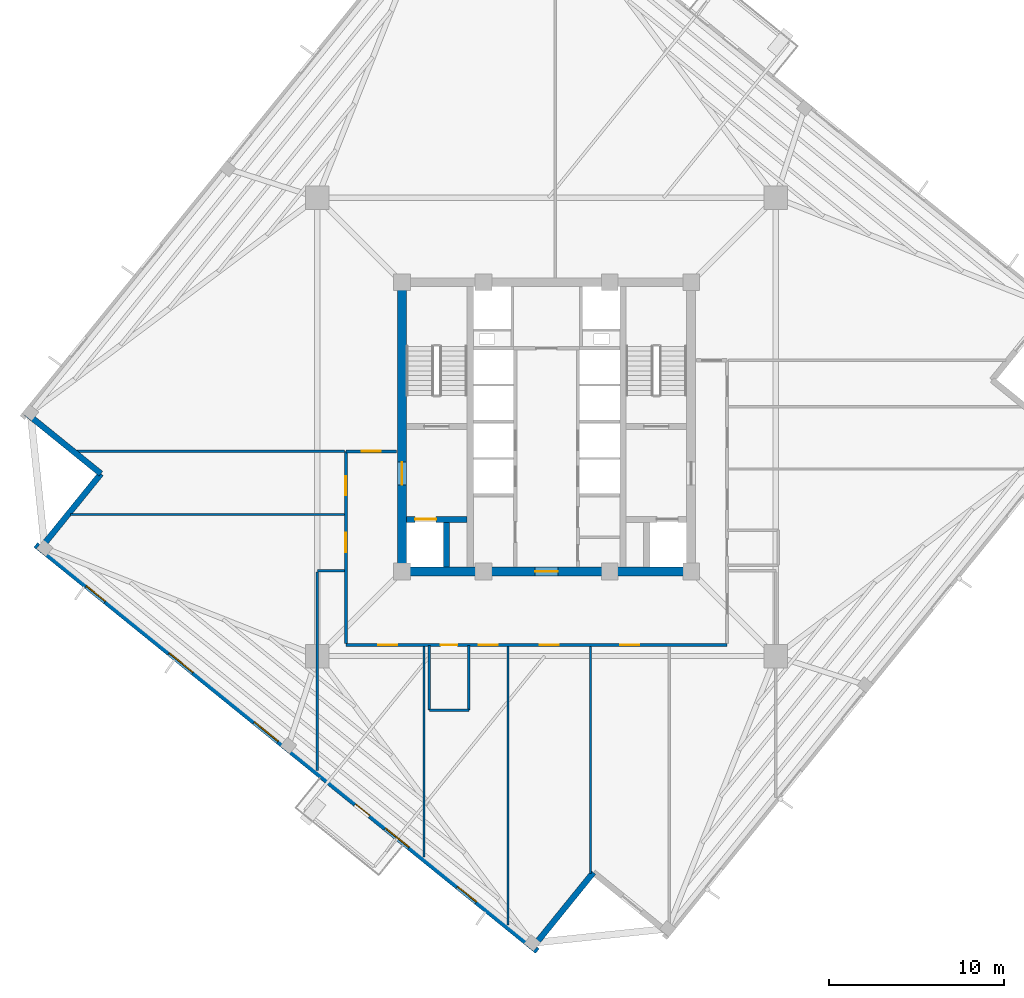
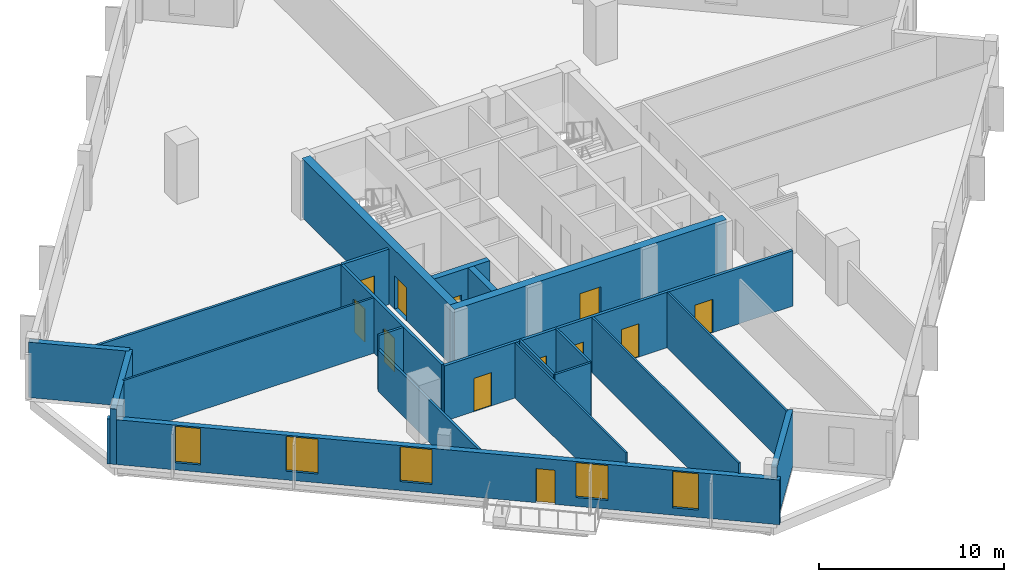
# One storey, part 3 of 10: 21 walls, 12 doors, 5 windows, 17 openings.
"""IFC4 building model written with IfcOpenShell, lengths in metres."""

from ifc_helpers import new_model, si_unit, direction, frame, frame_2d, origin, place, context, subcontext, project, spatial, rectangle, extrude, source, transform, mapped, material, layer, layer_set, type_object, element, fill, save


model = new_model("IFC4")

# Units and contexts
model_context = context("Model", 3, precision=1e-05, world=origin(), true_north=direction((0.0, 1.0)))
body_context = subcontext(model_context, "Body", "Model", "MODEL_VIEW")
ifc_project = project(units=[si_unit("LENGTHUNIT", "METRE"), si_unit("AREAUNIT", "SQUARE_METRE"), si_unit("VOLUMEUNIT", "CUBIC_METRE"), si_unit("PLANEANGLEUNIT", "RADIAN"), si_unit("MASSUNIT", "GRAM", prefix="KILO"), si_unit("THERMODYNAMICTEMPERATUREUNIT", "KELVIN")], contexts=[model_context])

# Site, building, storey
site_placement = place(None, origin())
site = spatial("IfcSite", under=ifc_project, at=site_placement, CompositionType="ELEMENT")
building_placement = place(site_placement, origin())
building = spatial("IfcBuilding", under=site, at=building_placement, Name="Kosmvard Interchange Tower", CompositionType="ELEMENT")
storey_placement = place(building_placement, frame((0.0, 0.0, 205.60009765625)))
storey = spatial("IfcBuildingStorey", under=building, at=storey_placement, Name="L49", CompositionType="ELEMENT", Elevation=205.60009765625)

# Walls
ifc_material_1 = material(Name="Acoustic gypsum partition system")
ifc_layer_1 = layer(ifc_material_1, 0.14990234375, Name="Acoustic gypsum partition system")
ifc_layer_set_1 = layer_set([ifc_layer_1], Name="Acoustic gypsum partition system")
wall_type_1 = type_object("IfcWallType", Name="Acoustic Suite & Meeting Partition 150", PredefinedType="PARTITIONING", material=ifc_layer_set_1)
wall_1_placement = place(storey_placement, frame((-26.833740234375, -1.39990234375, 0.0), z_axis=(0.0, 0.0, 1.0), x_axis=(1.0, 0.0, 0.0)))
element("IfcWall", 1, at=wall_1_placement, inside=storey, type_object=wall_type_1, Name="L49 Room Partition 02.1", PredefinedType="PARTITIONING", context=body_context, shape_type="SweptSolid", body=[
    extrude(rectangle(XDim=15.288818359375, YDim=0.14990234375, at=frame_2d((7.64453125, 0.0))), origin(), (0.0, 0.0, 1.0), 3.659912109375),
])
wall_2_placement = place(storey_placement, frame((-11.544921875, -8.199951171875, 0.0), z_axis=(0.0, 0.0, 1.0), x_axis=(-1.0, 0.0, 0.0)))
element("IfcWall", 2, at=wall_2_placement, inside=storey, type_object=wall_type_1, Name="L49 Room Partition 05.1", PredefinedType="PARTITIONING", context=body_context, shape_type="SweptSolid", body=[
    extrude(rectangle(XDim=1.5361328125, YDim=0.14990234375, at=frame_2d((0.76806640625, 0.0))), origin(), (0.0, 0.0, 1.0), 3.659912109375),
])
wall_3_placement = place(storey_placement, frame((-13.0810546875, -8.27490234375, 0.0), z_axis=(0.0, 0.0, 1.0), x_axis=(0.0, -1.0, 0.0)))
element("IfcWall", 3, at=wall_3_placement, inside=storey, type_object=wall_type_1, Name="L49 Room Partition 06.1", PredefinedType="PARTITIONING", context=body_context, shape_type="SweptSolid", body=[
    extrude(rectangle(XDim=11.339111328125, YDim=0.14990234375, at=frame_2d((5.66943359375, 0.0))), origin(), (0.0, 0.0, 1.0), 2.760009765625),
])

# Wall, openings, doors
ifc_material_2 = material(Name="Fire-rated gypsum partition system")
ifc_layer_2 = layer(ifc_material_2, 0.179931640625, Name="Fire-rated gypsum partition system")
ifc_layer_set_2 = layer_set([ifc_layer_2], Name="Fire-rated gypsum partition system")
wall_type_2 = type_object("IfcWallType", Name="Corridor & Hotel Compartment Partition 180", PredefinedType="PARTITIONING", material=ifc_layer_set_2)
wall_4_placement = place(storey_placement, frame((-11.449951171875, -12.449951171875, 0.0), z_axis=(0.0, 0.0, 1.0), x_axis=(1.0, 0.0, 0.0)))
wall_4 = element("IfcWall", 4, at=wall_4_placement, inside=storey, type_object=wall_type_2, Name="L49 Corridor Wall CS", PredefinedType="PARTITIONING", context=body_context, shape_type="SweptSolid", body=[
    extrude(rectangle(XDim=21.75, YDim=0.179931640625, at=frame_2d((10.875, 0.0))), origin(), (0.0, 0.0, 1.0), 3.659912109375),
])
opening_1_placement = place(wall_4_placement, frame((5.4111328125, 0.0, 0.0)))
opening_1 = element("IfcOpeningElement", 5, at=opening_1_placement, cuts=wall_4, Name="Opening L49-D02", PredefinedType="OPENING", context=body_context, shape_type="SweptSolid", body=[
    extrude(rectangle(XDim=0.949951171875, YDim=2.10009765625, at=frame_2d((0.47509765625, 1.050048828125))), frame((0.0, 0.10009765625, 0.0), z_axis=(0.0, -1.0, 0.0), x_axis=(1.0, 0.0, 0.0)), (0.0, 0.0, 1.0), 0.199951171875),
])
opening_2_placement = place(wall_4_placement, frame((1.83935546875, 0.0, 0.0)))
opening_2 = element("IfcOpeningElement", 6, at=opening_2_placement, cuts=wall_4, Name="Opening L49-D08", PredefinedType="OPENING", context=body_context, shape_type="SweptSolid", body=[
    extrude(rectangle(XDim=1.10009765625, YDim=2.199951171875, at=frame_2d((0.550048828125, 1.10009765625))), frame((0.0, 0.10009765625, 0.0), z_axis=(0.0, -1.0, 0.0), x_axis=(1.0, 0.0, 0.0)), (0.0, 0.0, 1.0), 0.199951171875),
])
opening_3_placement = place(wall_4_placement, frame((7.574462890625, 0.0, 0.0)))
opening_3 = element("IfcOpeningElement", 7, at=opening_3_placement, cuts=wall_4, Name="Opening L49-D09", PredefinedType="OPENING", context=body_context, shape_type="SweptSolid", body=[
    extrude(rectangle(XDim=1.10009765625, YDim=2.199951171875, at=frame_2d((0.550048828125, 1.10009765625))), frame((0.0, 0.10009765625, 0.0), z_axis=(0.0, -1.0, 0.0), x_axis=(1.0, 0.0, 0.0)), (0.0, 0.0, 1.0), 0.199951171875),
])
opening_4_placement = place(wall_4_placement, frame((11.050048828125, 0.0, 0.0)))
opening_4 = element("IfcOpeningElement", 8, at=opening_4_placement, cuts=wall_4, Name="Opening L49-D10", PredefinedType="OPENING", context=body_context, shape_type="SweptSolid", body=[
    extrude(rectangle(XDim=1.10009765625, YDim=2.199951171875, at=frame_2d((0.550048828125, 1.10009765625))), frame((0.0, 0.10009765625, 0.0), z_axis=(0.0, -1.0, 0.0), x_axis=(1.0, 0.0, 0.0)), (0.0, 0.0, 1.0), 0.199951171875),
])
opening_5_placement = place(wall_4_placement, frame((15.64990234375, 0.0, 0.0)))
opening_5 = element("IfcOpeningElement", 9, at=opening_5_placement, cuts=wall_4, Name="Opening L49-D11", PredefinedType="OPENING", context=body_context, shape_type="SweptSolid", body=[
    extrude(rectangle(XDim=1.10009765625, YDim=2.199951171875, at=frame_2d((0.550048828125, 1.10009765625))), frame((0.0, 0.10009765625, 0.0), z_axis=(0.0, -1.0, 0.0), x_axis=(1.0, 0.0, 0.0)), (0.0, 0.0, 1.0), 0.199951171875),
])
ifc_material_3 = material(Name="Laminated moisture-resistant timber", Category="wood")
door_type_1 = type_object("IfcDoorType", Name="Accessible Washroom Door 950x2100", OperationType="NOTDEFINED", PredefinedType="DOOR", material=ifc_material_3)
shared_shape_1 = source(origin(), body_context, "Body", "SweptSolid", [
    extrude(rectangle(XDim=0.949951171875, YDim=2.10009765625, at=frame_2d((0.47509765625, 1.050048828125))), frame((0.0, 0.02490234375, 0.0), z_axis=(0.0, -1.0, 0.0), x_axis=(1.0, 0.0, 0.0)), (0.0, 0.0, 1.0), 0.050048828125),
])
door_1_placement = place(opening_1_placement, frame((0.949951171875, 0.0, 0.0), z_axis=(0.0, 0.0, 1.0), x_axis=(-1.0, 0.0, 0.0)))
door_1 = element("IfcDoor", 10, at=door_1_placement, inside=storey, type_object=door_type_1, Name="L49 Public Floor Washroom Door", OperationType="SINGLE_SWING_RIGHT", OverallHeight=2.10009765625, OverallWidth=0.949951171875, PredefinedType="DOOR", context=body_context, shape_type="MappedRepresentation", body=[
    mapped(shared_shape_1, transform((0.0, 0.0, 0.0), scale=1.0)),
])
fill(opening_1, door_1)
ifc_material_4 = material(Name="Engineered oak fire-rated timber", Category="wood")
door_type_2 = type_object("IfcDoorType", Name="Office Suite Entrance Door 1100x2200 FD30S", OperationType="NOTDEFINED", PredefinedType="DOOR", material=ifc_material_4)
shared_shape_2 = source(origin(), body_context, "Body", "SweptSolid", [
    extrude(rectangle(XDim=1.10009765625, YDim=2.199951171875, at=frame_2d((0.550048828125, 1.10009765625))), frame((0.0, 0.02490234375, 0.0), z_axis=(0.0, -1.0, 0.0), x_axis=(1.0, 0.0, 0.0)), (0.0, 0.0, 1.0), 0.050048828125),
])
door_2_placement = place(opening_2_placement, frame((1.10009765625, 0.0, 0.0), z_axis=(0.0, 0.0, 1.0), x_axis=(-1.0, 0.0, 0.0)))
door_2 = element("IfcDoor", 11, at=door_2_placement, inside=storey, type_object=door_type_2, Name="L49 Treaty Conference Room 3 Door", OperationType="SINGLE_SWING_RIGHT", OverallHeight=2.199951171875, OverallWidth=1.10009765625, PredefinedType="DOOR", context=body_context, shape_type="MappedRepresentation", body=[
    mapped(shared_shape_2, transform((0.0, 0.0, 0.0), scale=1.0)),
])
fill(opening_2, door_2)
door_3_placement = place(opening_3_placement, frame((1.10009765625, 0.0, 0.0), z_axis=(0.0, 0.0, 1.0), x_axis=(-1.0, 0.0, 0.0)))
door_3 = element("IfcDoor", 12, at=door_3_placement, inside=storey, type_object=door_type_2, Name="L49 Diplomatic Seminar Room 4 Door", OperationType="SINGLE_SWING_LEFT", OverallHeight=2.199951171875, OverallWidth=1.10009765625, PredefinedType="DOOR", context=body_context, shape_type="MappedRepresentation", body=[
    mapped(shared_shape_2, transform((0.0, 0.0, 0.0), scale=1.0)),
])
fill(opening_3, door_3)
door_4_placement = place(opening_4_placement, frame((1.10009765625, 0.0, 0.0), z_axis=(0.0, 0.0, 1.0), x_axis=(-1.0, 0.0, 0.0)))
door_4 = element("IfcDoor", 13, at=door_4_placement, inside=storey, type_object=door_type_2, Name="L49 Ambassador Reading Study 1 Door", OperationType="SINGLE_SWING_RIGHT", OverallHeight=2.199951171875, OverallWidth=1.10009765625, PredefinedType="DOOR", context=body_context, shape_type="MappedRepresentation", body=[
    mapped(shared_shape_2, transform((0.0, 0.0, 0.0), scale=1.0)),
])
fill(opening_4, door_4)
door_5_placement = place(opening_5_placement, frame((1.10009765625, 0.0, 0.0), z_axis=(0.0, 0.0, 1.0), x_axis=(-1.0, 0.0, 0.0)))
door_5 = element("IfcDoor", 14, at=door_5_placement, inside=storey, type_object=door_type_2, Name="L49 Counsel Quiet Study 2 Door", OperationType="SINGLE_SWING_LEFT", OverallHeight=2.199951171875, OverallWidth=1.10009765625, PredefinedType="DOOR", context=body_context, shape_type="MappedRepresentation", body=[
    mapped(shared_shape_2, transform((0.0, 0.0, 0.0), scale=1.0)),
])
fill(opening_5, door_5)

wall_5_placement = place(storey_placement, frame((-11.449951171875, -12.35009765625, 0.0), z_axis=(0.0, 0.0, 1.0), x_axis=(0.0, 1.0, 0.0)))
wall_5 = element("IfcWall", 15, at=wall_5_placement, inside=storey, type_object=wall_type_2, Name="L49 Corridor Wall CW", PredefinedType="PARTITIONING", context=body_context, shape_type="SweptSolid", body=[
    extrude(rectangle(XDim=10.9501953125, YDim=0.179931640625, at=frame_2d((5.47509765625, 0.0))), origin(), (0.0, 0.0, 1.0), 3.659912109375),
])
opening_6_placement = place(wall_5_placement, frame((8.435546875, 0.0, 0.0)))
opening_6 = element("IfcOpeningElement", 16, at=opening_6_placement, cuts=wall_5, Name="Opening L49-D06", PredefinedType="OPENING", context=body_context, shape_type="SweptSolid", body=[
    extrude(rectangle(XDim=1.10009765625, YDim=2.199951171875, at=frame_2d((0.550048828125, 1.10009765625))), frame((0.0, 0.10009765625, 0.0), z_axis=(0.0, -1.0, 0.0), x_axis=(1.0, 0.0, 0.0)), (0.0, 0.0, 1.0), 0.199951171875),
])
opening_7_placement = place(wall_5_placement, frame((5.199951171875, 0.0, 0.0)))
opening_7 = element("IfcOpeningElement", 17, at=opening_7_placement, cuts=wall_5, Name="Opening L49-D07", PredefinedType="OPENING", context=body_context, shape_type="SweptSolid", body=[
    extrude(rectangle(XDim=1.10009765625, YDim=2.199951171875, at=frame_2d((0.550048828125, 1.10009765625))), frame((0.0, 0.10009765625, 0.0), z_axis=(0.0, -1.0, 0.0), x_axis=(1.0, 0.0, 0.0)), (0.0, 0.0, 1.0), 0.199951171875),
])
door_6_placement = place(opening_6_placement, origin())
door_6 = element("IfcDoor", 18, at=door_6_placement, inside=storey, type_object=door_type_2, Name="L49 Executive Servery Pantry Door", OperationType="SINGLE_SWING_RIGHT", OverallHeight=2.199951171875, OverallWidth=1.10009765625, PredefinedType="DOOR", context=body_context, shape_type="MappedRepresentation", body=[
    mapped(shared_shape_2, transform((0.0, 0.0, 0.0), scale=1.0)),
])
fill(opening_6, door_6)
door_7_placement = place(opening_7_placement, origin())
door_7 = element("IfcDoor", 19, at=door_7_placement, inside=storey, type_object=door_type_2, Name="L49 Chancery Boardroom 2 Door", OperationType="SINGLE_SWING_LEFT", OverallHeight=2.199951171875, OverallWidth=1.10009765625, PredefinedType="DOOR", context=body_context, shape_type="MappedRepresentation", body=[
    mapped(shared_shape_2, transform((0.0, 0.0, 0.0), scale=1.0)),
])
fill(opening_7, door_7)

# Wall, opening, door
wall_6_placement = place(storey_placement, frame((-11.449951171875, -1.39990234375, 0.0), z_axis=(0.0, 0.0, 1.0), x_axis=(1.0, 0.0, 0.0)))
wall_6 = element("IfcWall", 20, at=wall_6_placement, inside=storey, type_object=wall_type_2, Name="L49 Corridor Wall CNW", PredefinedType="PARTITIONING", context=body_context, shape_type="SweptSolid", body=[
    extrude(rectangle(XDim=2.89990234375, YDim=0.179931640625, at=frame_2d((1.449951171875, 0.0))), origin(), (0.0, 0.0, 1.0), 3.659912109375),
])
opening_8_placement = place(wall_6_placement, frame((0.89990234375, 0.0, 0.0)))
opening_8 = element("IfcOpeningElement", 21, at=opening_8_placement, cuts=wall_6, Name="Opening L49-D03", PredefinedType="OPENING", context=body_context, shape_type="SweptSolid", body=[
    extrude(rectangle(XDim=1.10009765625, YDim=2.199951171875, at=frame_2d((0.550048828125, 1.10009765625))), frame((0.0, 0.10009765625, 0.0), z_axis=(0.0, -1.0, 0.0), x_axis=(1.0, 0.0, 0.0)), (0.0, 0.0, 1.0), 0.199951171875),
])
door_8_placement = place(opening_8_placement, origin())
door_8 = element("IfcDoor", 22, at=door_8_placement, inside=storey, type_object=door_type_2, Name="L49 North-West Executive Advisory Workplace Door", OperationType="SINGLE_SWING_LEFT", OverallHeight=2.199951171875, OverallWidth=1.10009765625, PredefinedType="DOOR", context=body_context, shape_type="MappedRepresentation", body=[
    mapped(shared_shape_2, transform((0.0, 0.0, 0.0), scale=1.0)),
])
fill(opening_8, door_8)

# Walls
ifc_material_5 = material(Name="Precast concrete C45/55", Category="concrete")
ifc_layer_3 = layer(ifc_material_5, 0.340087890625, Name="Precast concrete C45/55")
ifc_layer_set_3 = layer_set([ifc_layer_3], Name="Precast concrete C45/55")
wall_type_3 = type_object("IfcWallType", Name="Mid Tower Precast Pier Wall 340 C45/55", PredefinedType="STANDARD", material=ifc_layer_set_3)
wall_7_placement = place(storey_placement, frame((-29.703125, 0.78857421875, 0.0), z_axis=(0.0, 0.0, 1.0), x_axis=(0.77714355312, -0.629323365087, 0.0)))
element("IfcWall", 23, at=wall_7_placement, inside=storey, type_object=wall_type_3, Name="L49 Precast Facade Wall N-NW1", PredefinedType="STANDARD", context=body_context, shape_type="SweptSolid", body=[
    extrude(rectangle(XDim=5.499755859375, YDim=0.340087890625, at=frame_2d((2.75, 0.0))), origin(), (0.0, 0.0, 1.0), 3.659912109375),
])
wall_8_placement = place(storey_placement, frame((-25.428955078125, -2.672607421875, 0.0), z_axis=(0.0, 0.0, 1.0), x_axis=(-0.629299794138, -0.777162640055, 0.0)))
element("IfcWall", 24, at=wall_8_placement, inside=storey, type_object=wall_type_3, Name="L49 Precast Facade Wall N-NW2", PredefinedType="STANDARD", context=body_context, shape_type="SweptSolid", body=[
    extrude(rectangle(XDim=5.669921875, YDim=0.340087890625, at=frame_2d((2.8349609375, 0.0))), origin(), (0.0, 0.0, 1.0), 3.659912109375),
])

# Wall, openings, door, windows
wall_9_placement = place(storey_placement, frame((-29.154296875, -6.73291015625, 0.0), z_axis=(0.0, 0.0, 1.0), x_axis=(0.77714192302, -0.629325378072, 0.0)))
wall_9 = element("IfcWall", 25, at=wall_9_placement, inside=storey, type_object=wall_type_3, Name="L49 Precast Facade Wall F-W", PredefinedType="STANDARD", context=body_context, shape_type="SweptSolid", body=[
    extrude(rectangle(XDim=36.840087890625, YDim=0.340087890625, at=frame_2d((18.419921875, 0.0))), origin(), (0.0, 0.0, 1.0), 2.9599609375),
])
opening_9_placement = place(wall_9_placement, frame((23.4951171875, 0.0, 0.0)))
opening_9 = element("IfcOpeningElement", 26, at=opening_9_placement, cuts=wall_9, Name="Opening L49-BDW", PredefinedType="OPENING", context=body_context, shape_type="SweptSolid", body=[
    extrude(rectangle(XDim=1.050048828125, YDim=2.25, at=frame_2d((0.52490234375, 1.125))), frame((0.0, 0.18017578125, 0.0), z_axis=(0.0, -1.0, 0.0), x_axis=(1.0, 0.0, 0.0)), (0.0, 0.0, 1.0), 0.360107421875),
])
opening_10_placement = place(wall_9_placement, frame((3.720703125, 0.0, 0.47998046875)))
opening_10 = element("IfcOpeningElement", 27, at=opening_10_placement, cuts=wall_9, Name="Opening L49-W16", PredefinedType="OPENING", context=body_context, shape_type="SweptSolid", body=[
    extrude(rectangle(XDim=1.39990234375, YDim=2.39990234375, at=frame_2d((0.699951171875, 1.199951171875))), frame((0.0, 0.18017578125, 0.0), z_axis=(0.0, -1.0, 0.0), x_axis=(1.0, 0.0, 0.0)), (0.0, 0.0, 1.0), 0.360107421875),
])
opening_11_placement = place(wall_9_placement, frame((9.80859375, 0.0, 0.580078125)))
opening_11 = element("IfcOpeningElement", 28, at=opening_11_placement, cuts=wall_9, Name="Opening L49-W17", PredefinedType="OPENING", context=body_context, shape_type="SweptSolid", body=[
    extrude(rectangle(XDim=1.75, YDim=2.300048828125, at=frame_2d((0.875, 1.14990234375))), frame((0.0, 0.18017578125, 0.0), z_axis=(0.0, -1.0, 0.0), x_axis=(1.0, 0.0, 0.0)), (0.0, 0.0, 1.0), 0.360107421875),
])
opening_12_placement = place(wall_9_placement, frame((16.05810546875, 0.0, 0.580078125)))
opening_12 = element("IfcOpeningElement", 29, at=opening_12_placement, cuts=wall_9, Name="Opening L49-W18", PredefinedType="OPENING", context=body_context, shape_type="SweptSolid", body=[
    extrude(rectangle(XDim=1.75, YDim=2.300048828125, at=frame_2d((0.875, 1.14990234375))), frame((0.0, 0.18017578125, 0.0), z_axis=(0.0, -1.0, 0.0), x_axis=(1.0, 0.0, 0.0)), (0.0, 0.0, 1.0), 0.360107421875),
])
opening_13_placement = place(wall_9_placement, frame((25.67626953125, 0.0, 0.580078125)))
opening_13 = element("IfcOpeningElement", 30, at=opening_13_placement, cuts=wall_9, Name="Opening L49-W19", PredefinedType="OPENING", context=body_context, shape_type="SweptSolid", body=[
    extrude(rectangle(XDim=1.75, YDim=2.300048828125, at=frame_2d((0.875, 1.14990234375))), frame((0.0, 0.18017578125, 0.0), z_axis=(0.0, -1.0, 0.0), x_axis=(1.0, 0.0, 0.0)), (0.0, 0.0, 1.0), 0.360107421875),
])
opening_14_placement = place(wall_9_placement, frame((30.982421875, 0.0, 0.47998046875)))
opening_14 = element("IfcOpeningElement", 31, at=opening_14_placement, cuts=wall_9, Name="Opening L49-W20", PredefinedType="OPENING", context=body_context, shape_type="SweptSolid", body=[
    extrude(rectangle(XDim=1.39990234375, YDim=2.39990234375, at=frame_2d((0.699951171875, 1.199951171875))), frame((0.0, 0.18017578125, 0.0), z_axis=(0.0, -1.0, 0.0), x_axis=(1.0, 0.0, 0.0)), (0.0, 0.0, 1.0), 0.360107421875),
])
ifc_material_6 = material(Name="Anodised aluminium and safety glass", Category="aluminium")
door_type_3 = type_object("IfcDoorType", Name="Tree-Balcony Glazed Door 1050x2250", OperationType="NOTDEFINED", PredefinedType="DOOR", material=ifc_material_6)
shared_shape_3 = source(origin(), body_context, "Body", "SweptSolid", [
    extrude(rectangle(XDim=1.050048828125, YDim=2.25, at=frame_2d((0.52490234375, 1.125))), frame((0.0, 0.02490234375, 0.0), z_axis=(0.0, -1.0, 0.0), x_axis=(1.0, 0.0, 0.0)), (0.0, 0.0, 1.0), 0.050048828125),
])
door_9_placement = place(opening_9_placement, origin())
door_9 = element("IfcDoor", 32, at=door_9_placement, inside=storey, type_object=door_type_3, Name="L49 Tree-Balcony Door BAL-L49-W", OperationType="SINGLE_SWING_RIGHT", OverallHeight=2.25, OverallWidth=1.050048828125, PredefinedType="DOOR", context=body_context, shape_type="MappedRepresentation", body=[
    mapped(shared_shape_3, transform((0.0, 0.0, 0.0), scale=1.0)),
])
fill(opening_9, door_9)
ifc_material_7 = material(Name="Low-E solar-control double glazing", Category="glass")
window_type_1 = type_object("IfcWindowType", Name="Notched Corner Feature Window 1400x2400", PartitioningType="SINGLE_PANEL", PredefinedType="WINDOW", material=ifc_material_7)
shared_shape_4 = source(origin(), body_context, "Body", "SweptSolid", [
    extrude(rectangle(XDim=1.39990234375, YDim=2.39990234375, at=frame_2d((0.699951171875, 1.199951171875))), frame((0.0, 0.030029296875, 0.0), z_axis=(0.0, -1.0, 0.0), x_axis=(1.0, 0.0, 0.0)), (0.0, 0.0, 1.0), 0.06005859375),
])
window_1_placement = place(opening_10_placement, origin())
window_1 = element("IfcWindow", 33, at=window_1_placement, inside=storey, type_object=window_type_1, Name="L49 Facade Punched Window 16", OverallHeight=2.39990234375, OverallWidth=1.39990234375, PartitioningType="SINGLE_PANEL", PredefinedType="WINDOW", context=body_context, shape_type="MappedRepresentation", body=[
    mapped(shared_shape_4, transform((0.0, 0.0, 0.0), scale=1.0)),
])
fill(opening_10, window_1)
window_2_placement = place(opening_14_placement, origin())
window_2 = element("IfcWindow", 34, at=window_2_placement, inside=storey, type_object=window_type_1, Name="L49 Facade Punched Window 20", OverallHeight=2.39990234375, OverallWidth=1.39990234375, PartitioningType="SINGLE_PANEL", PredefinedType="WINDOW", context=body_context, shape_type="MappedRepresentation", body=[
    mapped(shared_shape_4, transform((0.0, 0.0, 0.0), scale=1.0)),
])
fill(opening_14, window_2)
window_type_2 = type_object("IfcWindowType", Name="Zone 4 Suite Punched Window 1750x2300", PartitioningType="SINGLE_PANEL", PredefinedType="WINDOW", material=ifc_material_7)
shared_shape_5 = source(origin(), body_context, "Body", "SweptSolid", [
    extrude(rectangle(XDim=1.75, YDim=2.300048828125, at=frame_2d((0.875, 1.14990234375))), frame((0.0, 0.030029296875, 0.0), z_axis=(0.0, -1.0, 0.0), x_axis=(1.0, 0.0, 0.0)), (0.0, 0.0, 1.0), 0.06005859375),
])
window_3_placement = place(opening_11_placement, origin())
window_3 = element("IfcWindow", 35, at=window_3_placement, inside=storey, type_object=window_type_2, Name="L49 Facade Punched Window 17", OverallHeight=2.300048828125, OverallWidth=1.75, PartitioningType="SINGLE_PANEL", PredefinedType="WINDOW", context=body_context, shape_type="MappedRepresentation", body=[
    mapped(shared_shape_5, transform((0.0, 0.0, 0.0), scale=1.0)),
])
fill(opening_11, window_3)
window_4_placement = place(opening_12_placement, origin())
window_4 = element("IfcWindow", 36, at=window_4_placement, inside=storey, type_object=window_type_2, Name="L49 Facade Punched Window 18", OverallHeight=2.300048828125, OverallWidth=1.75, PartitioningType="SINGLE_PANEL", PredefinedType="WINDOW", context=body_context, shape_type="MappedRepresentation", body=[
    mapped(shared_shape_5, transform((0.0, 0.0, 0.0), scale=1.0)),
])
fill(opening_12, window_4)
window_5_placement = place(opening_13_placement, origin())
window_5 = element("IfcWindow", 37, at=window_5_placement, inside=storey, type_object=window_type_2, Name="L49 Facade Punched Window 19", OverallHeight=2.300048828125, OverallWidth=1.75, PartitioningType="SINGLE_PANEL", PredefinedType="WINDOW", context=body_context, shape_type="MappedRepresentation", body=[
    mapped(shared_shape_5, transform((0.0, 0.0, 0.0), scale=1.0)),
])
fill(opening_13, window_5)

# Walls
wall_10_placement = place(storey_placement, frame((-0.78857421875, -29.703125, 0.0), z_axis=(0.0, 0.0, 1.0), x_axis=(0.629323365087, 0.77714355312, 0.0)))
element("IfcWall", 38, at=wall_10_placement, inside=storey, type_object=wall_type_3, Name="L49 Precast Facade Wall N-SW1", PredefinedType="STANDARD", context=body_context, shape_type="SweptSolid", body=[
    extrude(rectangle(XDim=5.499755859375, YDim=0.340087890625, at=frame_2d((2.75, 0.0))), origin(), (0.0, 0.0, 1.0), 3.659912109375),
])
ifc_material_8 = material(Name="Gypsum board partition system")
ifc_layer_4 = layer(ifc_material_8, 0.1201171875, Name="Gypsum board partition system")
ifc_layer_set_4 = layer_set([ifc_layer_4], Name="Gypsum board partition system")
wall_type_4 = type_object("IfcWallType", Name="Office Cellular Partition 120", PredefinedType="PARTITIONING", material=ifc_layer_set_4)
wall_11_placement = place(storey_placement, frame((-27.178466796875, -5.0, 0.0), z_axis=(0.0, 0.0, 1.0), x_axis=(1.0, 0.0, 0.0)))
element("IfcWall", 39, at=wall_11_placement, inside=storey, type_object=wall_type_4, Name="L49 Room Partition 07.1", PredefinedType="PARTITIONING", context=body_context, shape_type="SweptSolid", body=[
    extrude(rectangle(XDim=15.633544921875, YDim=0.1201171875, at=frame_2d((7.81689453125, 0.0))), origin(), (0.0, 0.0, 1.0), 3.659912109375),
])
wall_12_placement = place(storey_placement, frame((-7.0, -24.5380859375, 0.0), z_axis=(0.0, 0.0, 1.0), x_axis=(0.0, 1.0, 0.0)))
element("IfcWall", 40, at=wall_12_placement, inside=storey, type_object=wall_type_4, Name="L49 Room Partition 08.1", PredefinedType="PARTITIONING", context=body_context, shape_type="SweptSolid", body=[
    extrude(rectangle(XDim=11.9931640625, YDim=0.1201171875, at=frame_2d((5.99658203125, 0.0))), origin(), (0.0, 0.0, 1.0), 3.659912109375),
])
wall_13_placement = place(storey_placement, frame((-2.199951171875, -28.425048828125, 0.0), z_axis=(0.0, 0.0, 1.0), x_axis=(0.0, 1.0, 0.0)))
element("IfcWall", 41, at=wall_13_placement, inside=storey, type_object=wall_type_4, Name="L49 Room Partition 09.1", PredefinedType="PARTITIONING", context=body_context, shape_type="SweptSolid", body=[
    extrude(rectangle(XDim=15.880126953125, YDim=0.1201171875, at=frame_2d((7.93994140625, 0.0))), origin(), (0.0, 0.0, 1.0), 3.659912109375),
])
wall_14_placement = place(storey_placement, frame((2.5, -25.475341796875, 0.0), z_axis=(0.0, 0.0, 1.0), x_axis=(0.0, 1.0, 0.0)))
element("IfcWall", 42, at=wall_14_placement, inside=storey, type_object=wall_type_4, Name="L49 Room Partition 10.1", PredefinedType="PARTITIONING", context=body_context, shape_type="SweptSolid", body=[
    extrude(rectangle(XDim=12.930419921875, YDim=0.1201171875, at=frame_2d((6.46533203125, 0.0))), origin(), (0.0, 0.0, 1.0), 3.659912109375),
])

# Wall, opening, door
ifc_material_9 = material(Name="Concrete C60/75", Category="concrete")
ifc_layer_5 = layer(ifc_material_9, 0.360107421875, Name="Concrete C60/75")
ifc_layer_set_5 = layer_set([ifc_layer_5], Name="Concrete C60/75")
wall_type_5 = type_object("IfcWallType", Name="Stair & Lift Shaft Shear Wall 360 C60/75", PredefinedType="SHEAR", material=ifc_layer_set_5)
wall_15_placement = place(storey_placement, frame((-8.0, -5.280029296875, 0.0), z_axis=(0.0, 0.0, 1.0), x_axis=(1.0, 0.0, 0.0)))
wall_15 = element("IfcWall", 43, at=wall_15_placement, inside=storey, type_object=wall_type_5, Name="L49 Shaft Shear Wall SW-FF1", PredefinedType="SHEAR", context=body_context, shape_type="SweptSolid", body=[
    extrude(rectangle(XDim=3.4599609375, YDim=0.360107421875, at=frame_2d((1.72998046875, 0.0))), origin(), (0.0, 0.0, 1.0), 3.89990234375),
])
opening_15_placement = place(wall_15_placement, frame((0.5, 0.0, 0.0)))
opening_15 = element("IfcOpeningElement", 44, at=opening_15_placement, cuts=wall_15, Name="Opening LD-FF-1-L49", PredefinedType="OPENING", context=body_context, shape_type="SweptSolid", body=[
    extrude(rectangle(XDim=1.199951171875, YDim=2.25, at=frame_2d((0.60009765625, 1.125))), frame((0.0, 0.18994140625, 0.0), z_axis=(0.0, -1.0, 0.0), x_axis=(1.0, 0.0, 0.0)), (0.0, 0.0, 1.0), 0.380126953125),
])
ifc_material_10 = material(Name="Brushed stainless steel sliding leaf", Category="steel")
door_type_4 = type_object("IfcDoorType", Name="Firefighting Lift Sliding Landing Door 1200x2250 EI120", OperationType="DOUBLE_DOOR_SLIDING", PredefinedType="DOOR", material=ifc_material_10)
shared_shape_6 = source(origin(), body_context, "Body", "SweptSolid", [
    extrude(rectangle(XDim=1.199951171875, YDim=2.25, at=frame_2d((0.60009765625, 1.125))), frame((0.0, 0.02490234375, 0.0), z_axis=(0.0, -1.0, 0.0), x_axis=(1.0, 0.0, 0.0)), (0.0, 0.0, 1.0), 0.050048828125),
])
door_10_placement = place(opening_15_placement, origin())
door_10 = element("IfcDoor", 45, at=door_10_placement, inside=storey, type_object=door_type_4, Name="Lift FF-1 Landing Door L49", OperationType="DOUBLE_DOOR_SLIDING", OverallHeight=2.25, OverallWidth=1.199951171875, PredefinedType="DOOR", context=body_context, shape_type="MappedRepresentation", body=[
    mapped(shared_shape_6, transform((0.0, 0.0, 0.0), scale=1.0)),
])
fill(opening_15, door_10)

# Wall
wall_16_placement = place(storey_placement, frame((-5.7099609375, -8.0, 0.0), z_axis=(0.0, 0.0, 1.0), x_axis=(0.0, 1.0, 0.0)))
element("IfcWall", 46, at=wall_16_placement, inside=storey, type_object=wall_type_5, Name="L49 Shaft Shear Wall SW-SM1", PredefinedType="SHEAR", context=body_context, shape_type="SweptSolid", body=[
    extrude(rectangle(XDim=2.5400390625, YDim=0.360107421875, at=frame_2d((1.27001953125, 0.0))), origin(), (0.0, 0.0, 1.0), 3.89990234375),
])

# Wall, opening, door
ifc_layer_6 = layer(ifc_material_9, 0.5, Name="Concrete C60/75")
ifc_layer_set_6 = layer_set([ifc_layer_6], Name="Concrete C60/75")
wall_type_6 = type_object("IfcWallType", Name="Upper Core Shear Wall 500 C60/75", PredefinedType="SHEAR", material=ifc_layer_set_6)
wall_17_placement = place(storey_placement, frame((-8.5, -8.25, 0.0), z_axis=(0.0, 0.0, 1.0), x_axis=(1.0, 0.0, 0.0)))
wall_17 = element("IfcWall", 47, at=wall_17_placement, inside=storey, type_object=wall_type_6, Name="L49 Core Shear Wall CW-S", PredefinedType="SHEAR", context=body_context, shape_type="SweptSolid", body=[
    extrude(rectangle(XDim=17.0, YDim=0.5, at=frame_2d((8.5, 0.0))), origin(), (0.0, 0.0, 1.0), 3.89990234375),
])
opening_16_placement = place(wall_17_placement, frame((7.85009765625, 0.0, 0.0)))
opening_16 = element("IfcOpeningElement", 48, at=opening_16_placement, cuts=wall_17, Name="Opening L49-LD0", PredefinedType="OPENING", context=body_context, shape_type="SweptSolid", body=[
    extrude(rectangle(XDim=1.300048828125, YDim=2.199951171875, at=frame_2d((0.64990234375, 1.10009765625))), frame((0.0, 0.260009765625, 0.0), z_axis=(0.0, -1.0, 0.0), x_axis=(1.0, 0.0, 0.0)), (0.0, 0.0, 1.0), 0.52001953125),
])
ifc_material_11 = material(Name="Painted fire-rated steel leaf", Category="steel")
door_type_5 = type_object("IfcDoorType", Name="Firefighting Lobby Door 1300x2200 EI60", OperationType="NOTDEFINED", PredefinedType="DOOR", material=ifc_material_11)
shared_shape_7 = source(origin(), body_context, "Body", "SweptSolid", [
    extrude(rectangle(XDim=1.300048828125, YDim=2.199951171875, at=frame_2d((0.64990234375, 1.10009765625))), frame((0.0, 0.02490234375, 0.0), z_axis=(0.0, -1.0, 0.0), x_axis=(1.0, 0.0, 0.0)), (0.0, 0.0, 1.0), 0.050048828125),
])
door_11_placement = place(opening_16_placement, frame((1.300048828125, 0.0, 0.0), z_axis=(0.0, 0.0, 1.0), x_axis=(-1.0, 0.0, 0.0)))
door_11 = element("IfcDoor", 49, at=door_11_placement, inside=storey, type_object=door_type_5, Name="L49 Passenger Lift Lobby South Door", OperationType="SINGLE_SWING_RIGHT", OverallHeight=2.199951171875, OverallWidth=1.300048828125, PredefinedType="DOOR", context=body_context, shape_type="MappedRepresentation", body=[
    mapped(shared_shape_7, transform((0.0, 0.0, 0.0), scale=1.0)),
])
fill(opening_16, door_11)

wall_18_placement = place(storey_placement, frame((-8.25, -8.0, 0.0), z_axis=(0.0, 0.0, 1.0), x_axis=(0.0, 1.0, 0.0)))
wall_18 = element("IfcWall", 50, at=wall_18_placement, inside=storey, type_object=wall_type_6, Name="L49 Core Shear Wall CW-W", PredefinedType="SHEAR", context=body_context, shape_type="SweptSolid", body=[
    extrude(rectangle(XDim=16.0, YDim=0.5, at=frame_2d((8.0, 0.0))), origin(), (0.0, 0.0, 1.0), 3.89990234375),
])
opening_17_placement = place(wall_18_placement, frame((4.68994140625, 0.0, 0.0)))
opening_17 = element("IfcOpeningElement", 51, at=opening_17_placement, cuts=wall_18, Name="Opening L49-FD1", PredefinedType="OPENING", context=body_context, shape_type="SweptSolid", body=[
    extrude(rectangle(XDim=1.300048828125, YDim=2.199951171875, at=frame_2d((0.64990234375, 1.10009765625))), frame((0.0, 0.260009765625, 0.0), z_axis=(0.0, -1.0, 0.0), x_axis=(1.0, 0.0, 0.0)), (0.0, 0.0, 1.0), 0.52001953125),
])
door_12_placement = place(opening_17_placement, frame((1.300048828125, 0.0, 0.0), z_axis=(0.0, 0.0, 1.0), x_axis=(-1.0, 0.0, 0.0)))
door_12 = element("IfcDoor", 52, at=door_12_placement, inside=storey, type_object=door_type_5, Name="L49 Firefighting Lobby West Door", OperationType="SINGLE_SWING_LEFT", OverallHeight=2.199951171875, OverallWidth=1.300048828125, PredefinedType="DOOR", context=body_context, shape_type="MappedRepresentation", body=[
    mapped(shared_shape_7, transform((0.0, 0.0, 0.0), scale=1.0)),
])
fill(opening_17, door_12)

# Walls
ifc_material_12 = material(Name="Moisture-resistant gypsum partition")
ifc_layer_7 = layer(ifc_material_12, 0.135009765625, Name="Moisture-resistant gypsum partition")
ifc_layer_set_7 = layer_set([ifc_layer_7], Name="Moisture-resistant gypsum partition")
wall_type_7 = type_object("IfcWallType", Name="Wet Room Moisture-Resistant Partition 135", PredefinedType="PARTITIONING", material=ifc_layer_set_7)
wall_19_placement = place(storey_placement, frame((-6.68896484375, -16.169921875, 0.0), z_axis=(0.0, 0.0, 1.0), x_axis=(1.0, 0.0, 0.0)))
element("IfcWall", 53, at=wall_19_placement, inside=storey, type_object=wall_type_7, Name="L49 Washroom Partition WC1-S", PredefinedType="PARTITIONING", context=body_context, shape_type="SweptSolid", body=[
    extrude(rectangle(XDim=2.25, YDim=0.135009765625, at=frame_2d((1.125, 0.0))), origin(), (0.0, 0.0, 1.0), 3.659912109375),
])
for number, where, z_axis, x_axis, name in (
    (54, (-4.43896484375, -16.169921875, 0.0), (0.0, 0.0, 1.0), (0.0, 1.0, 0.0), "L49 Washroom Partition WC1-E"),
    (55, (-6.68896484375, -16.169921875, 0.0), (0.0, 0.0, 1.0), (0.0, 1.0, 0.0), "L49 Washroom Partition WC1-W"),
):
    element("IfcWall", number, at=place(storey_placement, frame(where, z_axis=z_axis, x_axis=x_axis)), inside=storey, type_object=wall_type_7, Name=name, PredefinedType="PARTITIONING", context=body_context, shape_type="SweptSolid", body=[
        extrude(rectangle(XDim=3.699951171875, YDim=0.135009765625, at=frame_2d((1.85009765625, 0.0))), origin(), (0.0, 0.0, 1.0), 3.659912109375),
    ])

save(model, "model.ifc")
